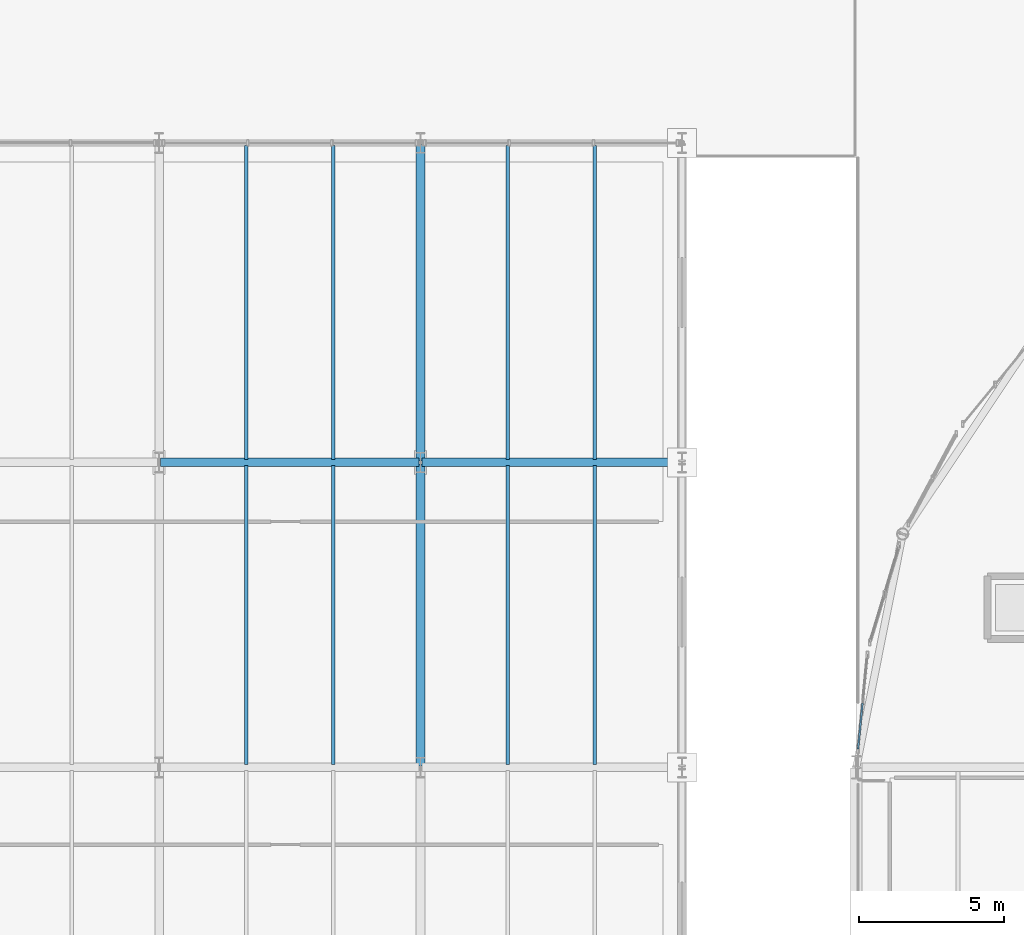
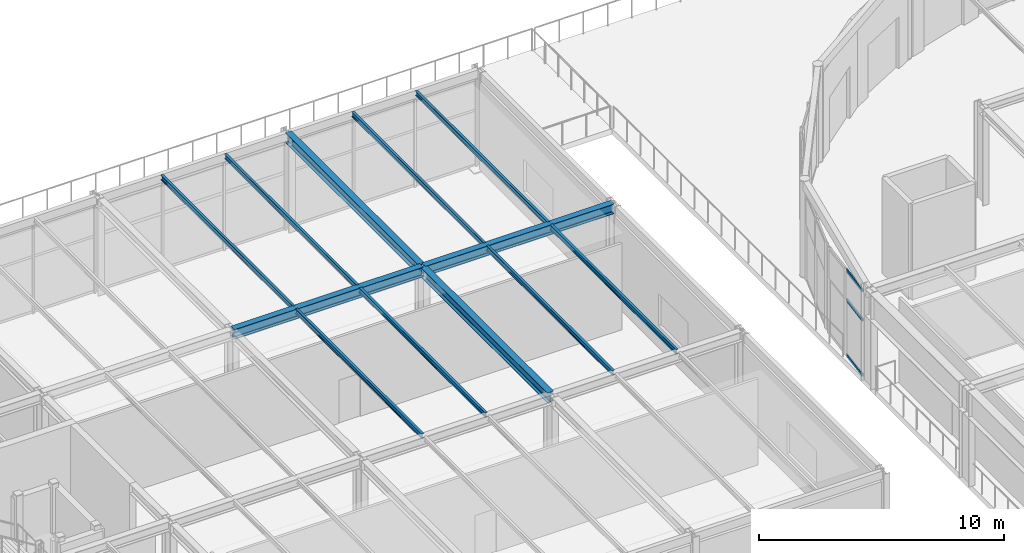
# One storey, part 42 of 143: 12 beams, 3 members, 1 element without a shape of its own.
"""IFC4 building model written with IfcOpenShell, lengths in metres."""

from ifc_helpers import new_model, si_unit, direction, frame, origin, origin_2d, place, context, subcontext, project, spatial, hollow_rectangle, i_section, extrude, material, layer, layer_set, material_profile, profile_set, type_object, element, aggregate, save


model = new_model("IFC4")

# Units and contexts
model_context = context("Model", 3, precision=1e-05, world=origin(), true_north=direction((0.0, 1.0)))
body_context = subcontext(model_context, "Body", "Model", "MODEL_VIEW")
ifc_project = project(units=[si_unit("LENGTHUNIT", "METRE"), si_unit("AREAUNIT", "SQUARE_METRE"), si_unit("VOLUMEUNIT", "CUBIC_METRE"), si_unit("PLANEANGLEUNIT", "RADIAN"), si_unit("MASSUNIT", "GRAM", prefix="KILO")], contexts=[model_context])

# Site, building, storey
site_placement = place(None, origin())
site = spatial("IfcSite", under=ifc_project, at=site_placement, CompositionType="ELEMENT")
building_placement = place(site_placement, origin())
building = spatial("IfcBuilding", under=site, at=building_placement, Name="Marlcrest Central Station", CompositionType="ELEMENT")
storey_placement = place(building_placement, frame((0.0, 0.0, 4.800048828125)))
storey = spatial("IfcBuildingStorey", under=building, at=storey_placement, Name="L01", CompositionType="ELEMENT", Elevation=4.800048828125)

# Beams
ifc_material_1 = material(Name="Steel S355", Category="steel")
ifc_material_profile_1 = material_profile(ifc_material_1, i_section(OverallWidth=0.300048828125, OverallDepth=0.489990234375, WebThickness=0.011962890625, FlangeThickness=0.02294921875, FilletRadius=0.027099609375, at=origin_2d()), Name="HEA 500")
ifc_profile_set_1 = profile_set([ifc_material_profile_1], Name="Steel S355")
beam_type_1 = type_object("IfcBeamType", Name="BM-10", PredefinedType="BEAM", material=ifc_profile_set_1)
for number, where, z_axis, x_axis, name in (
    (1, (63.050048828125, 121.0, 4.574951171875), (1.0, 0.0, 0.0), (0.0, 1.0, 0.0), "bm-BM-10-L01-00253"),
    (2, (72.050048828125, 121.0, 4.574951171875), (1.0, 0.0, 0.0), (0.0, 1.0, 0.0), "bm-BM-10-L01-00254"),
):
    element("IfcBeam", number, at=place(storey_placement, frame(where, z_axis=z_axis, x_axis=x_axis)), inside=storey, type_object=beam_type_1, Name=name, PredefinedType="BEAM", context=body_context, shape_type="SweptSolid", body=[
        extrude(i_section(OverallWidth=0.300048828125, OverallDepth=0.489990234375, WebThickness=0.011962890625, FlangeThickness=0.02294921875, FilletRadius=0.027099609375, at=origin_2d()), origin(), (0.0, 0.0, 1.0), 8.89990234375),
    ])
beam_1_placement = place(storey_placement, frame((72.0, 110.550048828125, 4.574951171875), z_axis=(0.0, 1.0, 0.0), x_axis=(-1.0, 0.0, 0.0)))
element("IfcBeam", 3, at=beam_1_placement, inside=storey, type_object=beam_type_1, Name="bm-BM-10-L01-00289", PredefinedType="BEAM", context=body_context, shape_type="SweptSolid", body=[
    extrude(i_section(OverallWidth=0.300048828125, OverallDepth=0.489990234375, WebThickness=0.011962890625, FlangeThickness=0.02294921875, FilletRadius=0.027099609375, at=origin_2d()), origin(), (0.0, 0.0, 1.0), 10.39990234375),
])
beam_2_placement = place(storey_placement, frame((72.0, 121.050048828125, 4.574951171875), z_axis=(0.0, 1.0, 0.0), x_axis=(-1.0, 0.0, 0.0)))
element("IfcBeam", 4, at=beam_2_placement, inside=storey, type_object=beam_type_1, Name="bm-BM-10-L01-00290", PredefinedType="BEAM", context=body_context, shape_type="SweptSolid", body=[
    extrude(i_section(OverallWidth=0.300048828125, OverallDepth=0.489990234375, WebThickness=0.011962890625, FlangeThickness=0.02294921875, FilletRadius=0.027099609375, at=origin_2d()), origin(), (0.0, 0.0, 1.0), 10.89990234375),
])
ifc_material_profile_2 = material_profile(ifc_material_1, i_section(OverallWidth=0.1201171875, OverallDepth=0.239990234375, WebThickness=0.006103515625, FlangeThickness=0.009765625, FilletRadius=0.014892578125, at=origin_2d()), Name="IPE 240")
ifc_profile_set_2 = profile_set([ifc_material_profile_2], Name="Steel S355")
beam_type_2 = type_object("IfcBeamType", Name="JS-03", PredefinedType="JOIST", material=ifc_profile_set_2)
beam_3_placement = place(storey_placement, frame((66.0, 110.60009765625, 4.699951171875), z_axis=(0.0, 1.0, 0.0), x_axis=(-1.0, 0.0, 0.0)))
element("IfcBeam", 5, at=beam_3_placement, inside=storey, type_object=beam_type_2, Name="bm-JS-03-L01-00337", PredefinedType="JOIST", context=body_context, shape_type="SweptSolid", body=[
    extrude(i_section(OverallWidth=0.1201171875, OverallDepth=0.239990234375, WebThickness=0.006103515625, FlangeThickness=0.009765625, FilletRadius=0.014892578125, at=origin_2d()), origin(), (0.0, 0.0, 1.0), 10.2998046875),
])
beam_4_placement = place(storey_placement, frame((66.0, 121.10009765625, 4.699951171875), z_axis=(0.0, 1.0, 0.0), x_axis=(-1.0, 0.0, 0.0)))
element("IfcBeam", 6, at=beam_4_placement, inside=storey, type_object=beam_type_2, Name="bm-JS-03-L01-00338", PredefinedType="JOIST", context=body_context, shape_type="SweptSolid", body=[
    extrude(i_section(OverallWidth=0.1201171875, OverallDepth=0.239990234375, WebThickness=0.006103515625, FlangeThickness=0.009765625, FilletRadius=0.014892578125, at=origin_2d()), origin(), (0.0, 0.0, 1.0), 10.804931640625),
])
beam_5_placement = place(storey_placement, frame((69.0, 110.60009765625, 4.699951171875), z_axis=(0.0, 1.0, 0.0), x_axis=(-1.0, 0.0, 0.0)))
element("IfcBeam", 7, at=beam_5_placement, inside=storey, type_object=beam_type_2, Name="bm-JS-03-L01-00340", PredefinedType="JOIST", context=body_context, shape_type="SweptSolid", body=[
    extrude(i_section(OverallWidth=0.1201171875, OverallDepth=0.239990234375, WebThickness=0.006103515625, FlangeThickness=0.009765625, FilletRadius=0.014892578125, at=origin_2d()), origin(), (0.0, 0.0, 1.0), 10.2998046875),
])
beam_6_placement = place(storey_placement, frame((69.0, 121.10009765625, 4.699951171875), z_axis=(0.0, 1.0, 0.0), x_axis=(-1.0, 0.0, 0.0)))
element("IfcBeam", 8, at=beam_6_placement, inside=storey, type_object=beam_type_2, Name="bm-JS-03-L01-00341", PredefinedType="JOIST", context=body_context, shape_type="SweptSolid", body=[
    extrude(i_section(OverallWidth=0.1201171875, OverallDepth=0.239990234375, WebThickness=0.006103515625, FlangeThickness=0.009765625, FilletRadius=0.014892578125, at=origin_2d()), origin(), (0.0, 0.0, 1.0), 10.804931640625),
])
beam_7_placement = place(storey_placement, frame((75.0, 110.60009765625, 4.699951171875), z_axis=(0.0, 1.0, 0.0), x_axis=(-1.0, 0.0, 0.0)))
element("IfcBeam", 9, at=beam_7_placement, inside=storey, type_object=beam_type_2, Name="bm-JS-03-L01-00343", PredefinedType="JOIST", context=body_context, shape_type="SweptSolid", body=[
    extrude(i_section(OverallWidth=0.1201171875, OverallDepth=0.239990234375, WebThickness=0.006103515625, FlangeThickness=0.009765625, FilletRadius=0.014892578125, at=origin_2d()), origin(), (0.0, 0.0, 1.0), 10.2998046875),
])
beam_8_placement = place(storey_placement, frame((75.0, 121.10009765625, 4.699951171875), z_axis=(0.0, 1.0, 0.0), x_axis=(-1.0, 0.0, 0.0)))
element("IfcBeam", 10, at=beam_8_placement, inside=storey, type_object=beam_type_2, Name="bm-JS-03-L01-00344", PredefinedType="JOIST", context=body_context, shape_type="SweptSolid", body=[
    extrude(i_section(OverallWidth=0.1201171875, OverallDepth=0.239990234375, WebThickness=0.006103515625, FlangeThickness=0.009765625, FilletRadius=0.014892578125, at=origin_2d()), origin(), (0.0, 0.0, 1.0), 10.804931640625),
])
beam_9_placement = place(storey_placement, frame((78.0, 110.60009765625, 4.699951171875), z_axis=(0.0, 1.0, 0.0), x_axis=(-1.0, 0.0, 0.0)))
element("IfcBeam", 11, at=beam_9_placement, inside=storey, type_object=beam_type_2, Name="bm-JS-03-L01-00346", PredefinedType="JOIST", context=body_context, shape_type="SweptSolid", body=[
    extrude(i_section(OverallWidth=0.1201171875, OverallDepth=0.239990234375, WebThickness=0.006103515625, FlangeThickness=0.009765625, FilletRadius=0.014892578125, at=origin_2d()), origin(), (0.0, 0.0, 1.0), 10.2998046875),
])
beam_10_placement = place(storey_placement, frame((78.0, 121.10009765625, 4.699951171875), z_axis=(0.0, 1.0, 0.0), x_axis=(-1.0, 0.0, 0.0)))
element("IfcBeam", 12, at=beam_10_placement, inside=storey, type_object=beam_type_2, Name="bm-JS-03-L01-00347", PredefinedType="JOIST", context=body_context, shape_type="SweptSolid", body=[
    extrude(i_section(OverallWidth=0.1201171875, OverallDepth=0.239990234375, WebThickness=0.006103515625, FlangeThickness=0.009765625, FilletRadius=0.014892578125, at=origin_2d()), origin(), (0.0, 0.0, 1.0), 10.804931640625),
])

# Curtain wall, members
ifc_material_2 = material(Name="Anodised aluminium and hurricane laminated glass", Category="aluminium")
ifc_layer = layer(ifc_material_2, 0.219970703125, Name="CW-U1")
ifc_layer_set = layer_set([ifc_layer], Name="Anodised aluminium and hurricane laminated glass")
curtain_wall_type = type_object("IfcCurtainWallType", Name="CW-U1", PredefinedType="USERDEFINED", material=ifc_layer_set)
curtain_wall_placement = place(storey_placement, origin())
curtain_wall = element("IfcCurtainWall", 13, at=curtain_wall_placement, inside=storey, type_object=curtain_wall_type, Name="cw-L01-0057", ObjectType="UNITISED_CURTAIN_WALL", PredefinedType="USERDEFINED")
ifc_material_3 = material(Name="Anodised aluminium 6063-T6", Category="aluminium")
ifc_material_profile_3 = material_profile(ifc_material_3, hollow_rectangle(XDim=0.06005859375, YDim=0.14990234375, WallThickness=0.00390625, at=origin_2d()), Name="AA-RHS 150x60x4")
ifc_profile_set_3 = profile_set([ifc_material_profile_3], Name="Anodised aluminium 6063-T6")
member_type = type_object("IfcMemberType", Name="TR-01", PredefinedType="USERDEFINED", material=ifc_profile_set_3)
member_1_placement = place(storey_placement, frame((87.062744140625, 111.1357421875, 0.0400390625), z_axis=(0.098171914529, 0.995169470592, 0.0), x_axis=(-0.995169470592, 0.098171914529, 0.0)))
member_1 = element("IfcMember", 14, at=member_1_placement, type_object=member_type, Name="cw-L01-0057-tr-0-sill", ObjectType="TRANSOM", PredefinedType="USERDEFINED", context=body_context, shape_type="SweptSolid", body=[
    extrude(hollow_rectangle(XDim=0.06005859375, YDim=0.14990234375, WallThickness=0.00390625, at=origin_2d()), origin(), (0.0, 0.0, 1.0), 1.5791015625),
])
member_2_placement = place(storey_placement, frame((87.062744140625, 111.1357421875, 2.794921875), z_axis=(0.098171914529, 0.995169470592, 0.0), x_axis=(-0.995169470592, 0.098171914529, 0.0)))
member_2 = element("IfcMember", 15, at=member_2_placement, type_object=member_type, Name="cw-L01-0057-tr-0-mid", ObjectType="TRANSOM", PredefinedType="USERDEFINED", context=body_context, shape_type="SweptSolid", body=[
    extrude(hollow_rectangle(XDim=0.06005859375, YDim=0.14990234375, WallThickness=0.00390625, at=origin_2d()), origin(), (0.0, 0.0, 1.0), 1.5791015625),
])
member_3_placement = place(storey_placement, frame((87.062744140625, 111.1357421875, 4.260009765625), z_axis=(0.098171914529, 0.995169470592, 0.0), x_axis=(-0.995169470592, 0.098171914529, 0.0)))
member_3 = element("IfcMember", 16, at=member_3_placement, type_object=member_type, Name="cw-L01-0057-tr-0-head", ObjectType="TRANSOM", PredefinedType="USERDEFINED", context=body_context, shape_type="SweptSolid", body=[
    extrude(hollow_rectangle(XDim=0.06005859375, YDim=0.14990234375, WallThickness=0.00390625, at=origin_2d()), origin(), (0.0, 0.0, 1.0), 1.5791015625),
])
aggregate(curtain_wall, [member_1, member_2, member_3])

save(model, "model.ifc")
